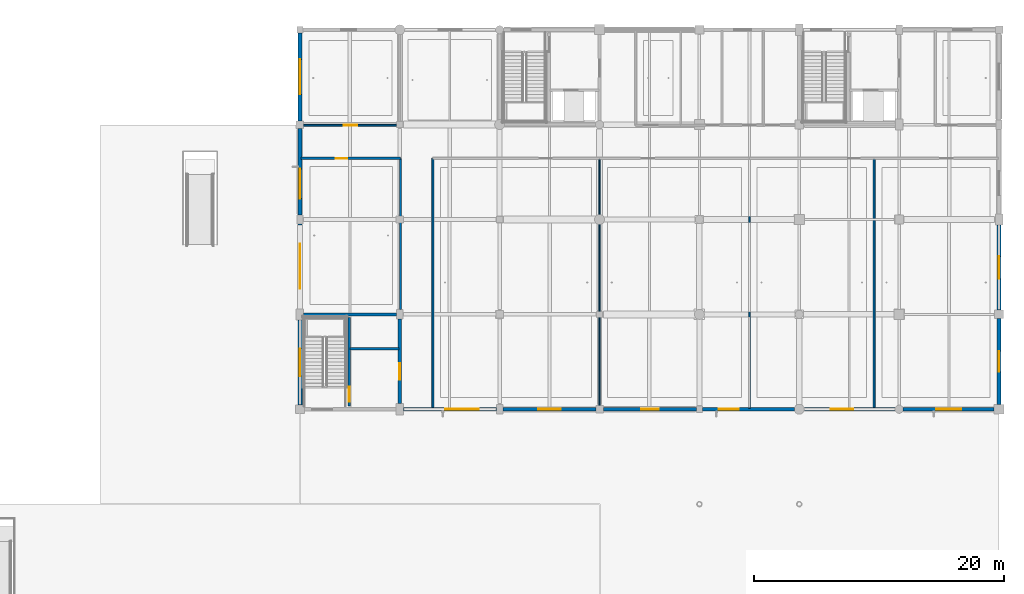
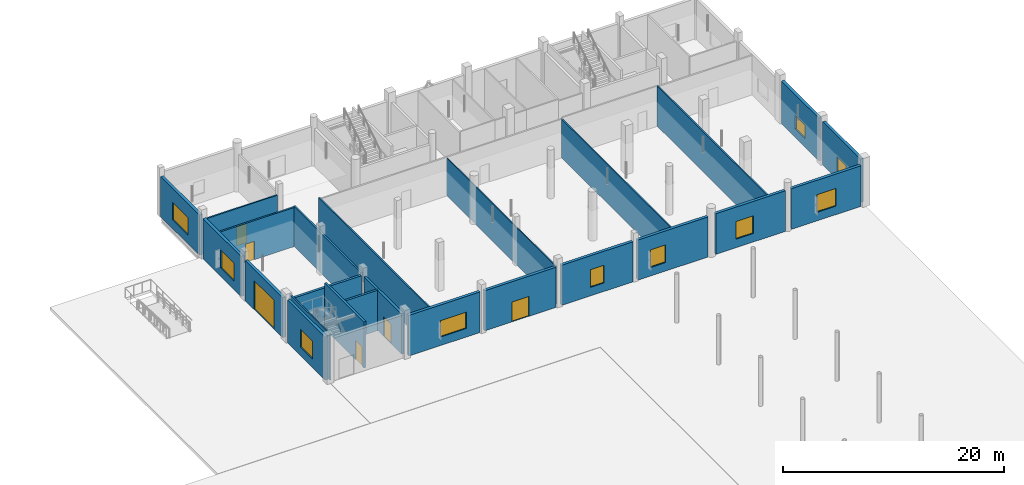
# One storey, part 69 of 126: 24 walls, 10 windows, 6 doors, 16 openings.
"""IFC4 building model written with IfcOpenShell, lengths in metres."""

from ifc_helpers import new_model, si_unit, direction, frame, frame_2d, origin, place, context, subcontext, project, spatial, rectangle, extrude, material, layer, layer_set, type_object, element, fill, save


model = new_model("IFC4")

# Units and contexts
model_context = context("Model", 3, precision=1e-05, world=origin(), true_north=direction((0.0, 1.0)))
body_context = subcontext(model_context, "Body", "Model", "MODEL_VIEW")
ifc_project = project(units=[si_unit("LENGTHUNIT", "METRE"), si_unit("AREAUNIT", "SQUARE_METRE"), si_unit("VOLUMEUNIT", "CUBIC_METRE"), si_unit("PLANEANGLEUNIT", "RADIAN"), si_unit("MASSUNIT", "GRAM", prefix="KILO")], contexts=[model_context])

# Site, building, storey
site_placement = place(None, origin())
site = spatial("IfcSite", under=ifc_project, at=site_placement, CompositionType="ELEMENT")
building_placement = place(site_placement, origin())
building = spatial("IfcBuilding", under=site, at=building_placement, Name="Khelvaren Railside Concert Hall", CompositionType="ELEMENT")
storey_placement = place(building_placement, origin())
storey = spatial("IfcBuildingStorey", under=building, at=storey_placement, Name="L00", CompositionType="ELEMENT", Elevation=0.0)

# Walls
ifc_material_1 = material(Name="Concrete C40/50", Category="concrete")
ifc_layer_1 = layer(ifc_material_1, 0.139892578125)
ifc_layer_set_1 = layer_set([ifc_layer_1], Name="Concrete C40/50")
wall_type_1 = type_object("IfcWallType", Name="CW17", PredefinedType="SOLIDWALL", material=ifc_layer_set_1)
wall_1_placement = place(storey_placement, frame((128.27490234375, 83.75, 0.0), z_axis=(0.0, 0.0, 1.0), x_axis=(0.0, 1.0, 0.0)))
element("IfcWall", 1, at=wall_1_placement, inside=storey, type_object=wall_type_1, Name="Core Shaft Structural Liner Wall ST-12-L00", PredefinedType="SOLIDWALL", context=body_context, shape_type="SweptSolid", body=[
    extrude(rectangle(XDim=7.300048828125, YDim=0.139892578125, at=frame_2d((3.64990234375, 0.0))), origin(), (0.0, 0.0, 1.0), 5.10009765625),
])
ifc_layer_2 = layer(ifc_material_1, 0.25)
ifc_layer_set_2 = layer_set([ifc_layer_2], Name="Concrete C40/50")
wall_type_2 = type_object("IfcWallType", Name="CW82", PredefinedType="SOLIDWALL", material=ifc_layer_set_2)
wall_2_placement = place(storey_placement, frame((128.300048828125, 91.199951171875, 0.0), z_axis=(0.0, 0.0, 1.0), x_axis=(1.0, 0.0, 0.0)))
element("IfcWall", 2, at=wall_2_placement, inside=storey, type_object=wall_type_2, Name="Core Enclosure Wall CWALL-ST-12-L00-N", PredefinedType="SOLIDWALL", context=body_context, shape_type="SweptSolid", body=[
    extrude(rectangle(XDim=7.449951171875, YDim=0.25, at=frame_2d((3.72509765625, 0.0))), origin(), (0.0, 0.0, 1.0), 4.455078125),
])

# Wall, opening, door
wall_3_placement = place(storey_placement, frame((136.0, 84.050048828125, 0.0), z_axis=(0.0, 0.0, 1.0), x_axis=(0.0, 1.0, 0.0)))
wall_3 = element("IfcWall", 3, at=wall_3_placement, inside=storey, type_object=wall_type_2, Name="Core Enclosure Wall CWALL-ST-12-L00-E", PredefinedType="SOLIDWALL", context=body_context, shape_type="SweptSolid", body=[
    extrude(rectangle(XDim=6.77490234375, YDim=0.25, at=frame_2d((3.387451171875, 0.0))), origin(), (0.0, 0.0, 1.0), 4.455078125),
])
opening_1_placement = place(wall_3_placement, frame((1.89990234375, 0.0, 0.0)))
opening_1 = element("IfcOpeningElement", 4, at=opening_1_placement, cuts=wall_3, Name="Opening FDR34", PredefinedType="OPENING", context=body_context, shape_type="SweptSolid", body=[
    extrude(rectangle(XDim=1.35009765625, YDim=2.199951171875, at=frame_2d((0.675048828125, 1.10009765625))), frame((0.0, 0.135009765625, 0.0), z_axis=(0.0, -1.0, 0.0), x_axis=(1.0, 0.0, 0.0)), (0.0, 0.0, 1.0), 0.27001953125),
])
ifc_material_2 = material(Name="Acoustic fire-rated timber-core steel frame door", Category="steel")
door_type_1 = type_object("IfcDoorType", Name="FDR34", OperationType="NOTDEFINED", PredefinedType="DOOR", material=ifc_material_2)
door_1_placement = place(opening_1_placement, origin())
door_1 = element("IfcDoor", 5, at=door_1_placement, inside=storey, type_object=door_type_1, Name="Interior Door DR-ST-12-L00-LOB", OperationType="SINGLE_SWING_LEFT", OverallHeight=2.199951171875, OverallWidth=1.35009765625, PredefinedType="DOOR", context=body_context, shape_type="SweptSolid", body=[
    extrude(rectangle(XDim=1.35009765625, YDim=2.199951171875, at=frame_2d((0.675048828125, 1.10009765625))), frame((0.0, 0.02490234375, 0.0), z_axis=(0.0, -1.0, 0.0), x_axis=(1.0, 0.0, 0.0)), (0.0, 0.0, 1.0), 0.050048828125),
])
fill(opening_1, door_1)

ifc_layer_3 = layer(ifc_material_1, 0.219970703125)
ifc_layer_set_3 = layer_set([ifc_layer_3], Name="Concrete C40/50")
wall_type_3 = type_object("IfcWallType", Name="CW97", PredefinedType="SOLIDWALL", material=ifc_layer_set_3)
wall_4_placement = place(storey_placement, frame((131.949951171875, 83.85009765625, 0.0), z_axis=(0.0, 0.0, 1.0), x_axis=(0.0, 1.0, 0.0)))
wall_4 = element("IfcWall", 6, at=wall_4_placement, inside=storey, type_object=wall_type_3, Name="Core Enclosure Wall CWALL-ST-12-L00-MID", PredefinedType="SOLIDWALL", context=body_context, shape_type="SweptSolid", body=[
    extrude(rectangle(XDim=7.099853515625, YDim=0.219970703125, at=frame_2d((3.5498046875, 0.0))), origin(), (0.0, 0.0, 1.0), 5.10009765625),
])
opening_2_placement = place(wall_4_placement, frame((0.35009765625, 0.0, 0.0)))
opening_2 = element("IfcOpeningElement", 7, at=opening_2_placement, cuts=wall_4, Name="Opening FDR17", PredefinedType="OPENING", context=body_context, shape_type="SweptSolid", body=[
    extrude(rectangle(XDim=1.199951171875, YDim=2.14990234375, at=frame_2d((0.60009765625, 1.074951171875))), frame((0.0, 0.119873046875, 0.0), z_axis=(0.0, -1.0, 0.0), x_axis=(1.0, 0.0, 0.0)), (0.0, 0.0, 1.0), 0.239990234375),
])
door_type_2 = type_object("IfcDoorType", Name="FDR17", OperationType="NOTDEFINED", PredefinedType="DOOR", material=ifc_material_2)
door_2_placement = place(opening_2_placement, origin())
door_2 = element("IfcDoor", 8, at=door_2_placement, inside=storey, type_object=door_type_2, Name="Interior Door DR-ST-12-L00-ST", OperationType="SINGLE_SWING_RIGHT", OverallHeight=2.14990234375, OverallWidth=1.199951171875, PredefinedType="DOOR", context=body_context, shape_type="SweptSolid", body=[
    extrude(rectangle(XDim=1.199951171875, YDim=2.14990234375, at=frame_2d((0.60009765625, 1.074951171875))), frame((0.0, 0.02490234375, 0.0), z_axis=(0.0, -1.0, 0.0), x_axis=(1.0, 0.0, 0.0)), (0.0, 0.0, 1.0), 0.050048828125),
])
fill(opening_2, door_2)

# Wall
wall_5_placement = place(storey_placement, frame((132.02001953125, 88.449951171875, 0.0), z_axis=(0.0, 0.0, 1.0), x_axis=(1.0, 0.0, 0.0)))
element("IfcWall", 9, at=wall_5_placement, inside=storey, type_object=wall_type_3, Name="Core Enclosure Wall CWALL-ST-12-L00-SHF", PredefinedType="SOLIDWALL", context=body_context, shape_type="SweptSolid", body=[
    extrude(rectangle(XDim=3.929931640625, YDim=0.219970703125, at=frame_2d((1.96484375, 0.0))), origin(), (0.0, 0.0, 1.0), 4.47509765625),
])

# Wall, opening, window
ifc_material_3 = material(Name="Board-marked architectural concrete C40/50", Category="concrete")
ifc_layer_4 = layer(ifc_material_3, 0.300048828125)
ifc_layer_set_4 = layer_set([ifc_layer_4], Name="Board-marked architectural concrete C40/50")
wall_type_4 = type_object("IfcWallType", Name="EW54", PredefinedType="SOLIDWALL", material=ifc_layer_set_4)
wall_6_placement = place(storey_placement, frame((143.75, 83.60009765625, 0.0), z_axis=(0.0, 0.0, 1.0), x_axis=(-1.0, 0.0, 0.0)))
wall_6 = element("IfcWall", 10, at=wall_6_placement, inside=storey, type_object=wall_type_4, Name="V5 L00 Exterior Concrete Wall S-136", PredefinedType="SOLIDWALL", context=body_context, shape_type="SweptSolid", body=[
    extrude(rectangle(XDim=7.449951171875, YDim=0.300048828125, at=frame_2d((3.72509765625, 0.0))), origin(), (0.0, 0.0, 1.0), 4.489990234375),
])
opening_3_placement = place(wall_6_placement, frame((1.425048828125, 0.0, 0.949951171875)))
opening_3 = element("IfcOpeningElement", 11, at=opening_3_placement, cuts=wall_6, Name="Opening WN39", PredefinedType="OPENING", context=body_context, shape_type="SweptSolid", body=[
    extrude(rectangle(XDim=2.699951171875, YDim=1.800048828125, at=frame_2d((1.35009765625, 0.89990234375))), frame((0.0, 0.159912109375, 0.0), z_axis=(0.0, -1.0, 0.0), x_axis=(1.0, 0.0, 0.0)), (0.0, 0.0, 1.0), 0.320068359375),
])
ifc_material_4 = material(Name="Triple-glazed acoustic aluminium window", Category="aluminium")
window_type_1 = type_object("IfcWindowType", Name="WN39", PartitioningType="DOUBLE_PANEL_VERTICAL", PredefinedType="WINDOW", material=ifc_material_4)
window_1_placement = place(opening_3_placement, origin())
window_1 = element("IfcWindow", 12, at=window_1_placement, inside=storey, type_object=window_type_1, Name="Acoustic Facade Window EW-V5-L00-S-136", OverallHeight=1.800048828125, OverallWidth=2.699951171875, PartitioningType="DOUBLE_PANEL_VERTICAL", PredefinedType="WINDOW", context=body_context, shape_type="SweptSolid", body=[
    extrude(rectangle(XDim=2.699951171875, YDim=1.800048828125, at=frame_2d((1.35009765625, 0.89990234375))), frame((0.0, 0.030029296875, 0.0), z_axis=(0.0, -1.0, 0.0), x_axis=(1.0, 0.0, 0.0)), (0.0, 0.0, 1.0), 0.06005859375),
])
fill(opening_3, window_1)

# Wall, opening, door
wall_7_placement = place(storey_placement, frame((151.699951171875, 83.60009765625, 0.0), z_axis=(0.0, 0.0, 1.0), x_axis=(-1.0, 0.0, 0.0)))
wall_7 = element("IfcWall", 13, at=wall_7_placement, inside=storey, type_object=wall_type_4, Name="V5 L00 Exterior Concrete Wall S-144", PredefinedType="SOLIDWALL", context=body_context, shape_type="SweptSolid", body=[
    extrude(rectangle(XDim=7.449951171875, YDim=0.300048828125, at=frame_2d((3.72509765625, 0.0))), origin(), (0.0, 0.0, 1.0), 4.43994140625),
])
opening_4_placement = place(wall_7_placement, frame((2.824951171875, 0.0, 0.0)))
opening_4 = element("IfcOpeningElement", 14, at=opening_4_placement, cuts=wall_7, Name="Opening E-V5-FCC", PredefinedType="OPENING", context=body_context, shape_type="SweptSolid", body=[
    extrude(rectangle(XDim=1.800048828125, YDim=2.199951171875, at=frame_2d((0.89990234375, 1.10009765625))), frame((0.0, 0.159912109375, 0.0), z_axis=(0.0, -1.0, 0.0), x_axis=(1.0, 0.0, 0.0)), (0.0, 0.0, 1.0), 0.320068359375),
])
ifc_material_5 = material(Name="Anodised bronze glazed entrance door", Category="aluminium")
door_type_3 = type_object("IfcDoorType", Name="EDR55", OperationType="NOTDEFINED", PredefinedType="DOOR", material=ifc_material_5)
door_3_placement = place(opening_4_placement, origin())
door_3 = element("IfcDoor", 15, at=door_3_placement, inside=storey, type_object=door_type_3, Name="Public Entrance Exit Door E-V5-FCC", OperationType="SINGLE_SWING_RIGHT", OverallHeight=2.199951171875, OverallWidth=1.800048828125, PredefinedType="DOOR", context=body_context, shape_type="SweptSolid", body=[
    extrude(rectangle(XDim=1.800048828125, YDim=2.199951171875, at=frame_2d((0.89990234375, 1.10009765625))), frame((0.0, 0.02490234375, 0.0), z_axis=(0.0, -1.0, 0.0), x_axis=(1.0, 0.0, 0.0)), (0.0, 0.0, 1.0), 0.050048828125),
])
fill(opening_4, door_3)

# Wall, opening, window
wall_8_placement = place(storey_placement, frame((159.75, 83.60009765625, 0.0), z_axis=(0.0, 0.0, 1.0), x_axis=(-1.0, 0.0, 0.0)))
wall_8 = element("IfcWall", 16, at=wall_8_placement, inside=storey, type_object=wall_type_4, Name="V5 L00 Exterior Concrete Wall S-152", PredefinedType="SOLIDWALL", context=body_context, shape_type="SweptSolid", body=[
    extrude(rectangle(XDim=7.449951171875, YDim=0.300048828125, at=frame_2d((3.72509765625, 0.0))), origin(), (0.0, 0.0, 1.0), 4.43994140625),
])
opening_5_placement = place(wall_8_placement, frame((3.02490234375, 0.0, 0.949951171875)))
opening_5 = element("IfcOpeningElement", 17, at=opening_5_placement, cuts=wall_8, Name="Opening WN97", PredefinedType="OPENING", context=body_context, shape_type="SweptSolid", body=[
    extrude(rectangle(XDim=1.39990234375, YDim=1.949951171875, at=frame_2d((0.699951171875, 0.97509765625))), frame((0.0, 0.159912109375, 0.0), z_axis=(0.0, -1.0, 0.0), x_axis=(1.0, 0.0, 0.0)), (0.0, 0.0, 1.0), 0.320068359375),
])
window_type_2 = type_object("IfcWindowType", Name="WN97", PartitioningType="SINGLE_PANEL", PredefinedType="WINDOW", material=ifc_material_4)
window_2_placement = place(opening_5_placement, origin())
window_2 = element("IfcWindow", 18, at=window_2_placement, inside=storey, type_object=window_type_2, Name="Acoustic Facade Window EW-V5-L00-S-152", OverallHeight=1.949951171875, OverallWidth=1.39990234375, PartitioningType="SINGLE_PANEL", PredefinedType="WINDOW", context=body_context, shape_type="SweptSolid", body=[
    extrude(rectangle(XDim=1.39990234375, YDim=1.949951171875, at=frame_2d((0.699951171875, 0.97509765625))), frame((0.0, 0.030029296875, 0.0), z_axis=(0.0, -1.0, 0.0), x_axis=(1.0, 0.0, 0.0)), (0.0, 0.0, 1.0), 0.06005859375),
])
fill(opening_5, window_2)

wall_9_placement = place(storey_placement, frame((167.60009765625, 83.60009765625, 0.0), z_axis=(0.0, 0.0, 1.0), x_axis=(-1.0, 0.0, 0.0)))
wall_9 = element("IfcWall", 19, at=wall_9_placement, inside=storey, type_object=wall_type_4, Name="V5 L00 Exterior Concrete Wall S-160", PredefinedType="SOLIDWALL", context=body_context, shape_type="SweptSolid", body=[
    extrude(rectangle(XDim=7.35009765625, YDim=0.300048828125, at=frame_2d((3.675048828125, 0.0))), origin(), (0.0, 0.0, 1.0), 4.43994140625),
])
opening_6_placement = place(wall_9_placement, frame((4.449951171875, 0.0, 0.949951171875)))
opening_6 = element("IfcOpeningElement", 20, at=opening_6_placement, cuts=wall_9, Name="Opening WN94", PredefinedType="OPENING", context=body_context, shape_type="SweptSolid", body=[
    extrude(rectangle(XDim=1.60009765625, YDim=1.949951171875, at=frame_2d((0.800048828125, 0.97509765625))), frame((0.0, 0.159912109375, 0.0), z_axis=(0.0, -1.0, 0.0), x_axis=(1.0, 0.0, 0.0)), (0.0, 0.0, 1.0), 0.320068359375),
])
window_type_3 = type_object("IfcWindowType", Name="WN94", PartitioningType="SINGLE_PANEL", PredefinedType="WINDOW", material=ifc_material_4)
window_3_placement = place(opening_6_placement, origin())
window_3 = element("IfcWindow", 21, at=window_3_placement, inside=storey, type_object=window_type_3, Name="Acoustic Facade Window EW-V5-L00-S-160", OverallHeight=1.949951171875, OverallWidth=1.60009765625, PartitioningType="SINGLE_PANEL", PredefinedType="WINDOW", context=body_context, shape_type="SweptSolid", body=[
    extrude(rectangle(XDim=1.60009765625, YDim=1.949951171875, at=frame_2d((0.800048828125, 0.97509765625))), frame((0.0, 0.030029296875, 0.0), z_axis=(0.0, -1.0, 0.0), x_axis=(1.0, 0.0, 0.0)), (0.0, 0.0, 1.0), 0.06005859375),
])
fill(opening_6, window_3)

wall_10_placement = place(storey_placement, frame((175.675048828125, 83.60009765625, 0.0), z_axis=(0.0, 0.0, 1.0), x_axis=(-1.0, 0.0, 0.0)))
wall_10 = element("IfcWall", 22, at=wall_10_placement, inside=storey, type_object=wall_type_4, Name="V5 L00 Exterior Concrete Wall S-168", PredefinedType="SOLIDWALL", context=body_context, shape_type="SweptSolid", body=[
    extrude(rectangle(XDim=7.275146484375, YDim=0.300048828125, at=frame_2d((3.6376953125, 0.0))), origin(), (0.0, 0.0, 1.0), 4.489990234375),
])
opening_7_placement = place(wall_10_placement, frame((3.35009765625, 0.0, 0.949951171875)))
opening_7 = element("IfcOpeningElement", 23, at=opening_7_placement, cuts=wall_10, Name="Opening WN45", PredefinedType="OPENING", context=body_context, shape_type="SweptSolid", body=[
    extrude(rectangle(XDim=1.800048828125, YDim=1.949951171875, at=frame_2d((0.89990234375, 0.97509765625))), frame((0.0, 0.159912109375, 0.0), z_axis=(0.0, -1.0, 0.0), x_axis=(1.0, 0.0, 0.0)), (0.0, 0.0, 1.0), 0.320068359375),
])
window_type_4 = type_object("IfcWindowType", Name="WN45", PartitioningType="DOUBLE_PANEL_VERTICAL", PredefinedType="WINDOW", material=ifc_material_4)
window_4_placement = place(opening_7_placement, origin())
window_4 = element("IfcWindow", 24, at=window_4_placement, inside=storey, type_object=window_type_4, Name="Acoustic Facade Window EW-V5-L00-S-168", OverallHeight=1.949951171875, OverallWidth=1.800048828125, PartitioningType="DOUBLE_PANEL_VERTICAL", PredefinedType="WINDOW", context=body_context, shape_type="SweptSolid", body=[
    extrude(rectangle(XDim=1.800048828125, YDim=1.949951171875, at=frame_2d((0.89990234375, 0.97509765625))), frame((0.0, 0.030029296875, 0.0), z_axis=(0.0, -1.0, 0.0), x_axis=(1.0, 0.0, 0.0)), (0.0, 0.0, 1.0), 0.06005859375),
])
fill(opening_7, window_4)

wall_11_placement = place(storey_placement, frame((183.60009765625, 83.60009765625, 0.0), z_axis=(0.0, 0.0, 1.0), x_axis=(-1.0, 0.0, 0.0)))
wall_11 = element("IfcWall", 25, at=wall_11_placement, inside=storey, type_object=wall_type_4, Name="V5 L00 Exterior Concrete Wall S-176", PredefinedType="SOLIDWALL", context=body_context, shape_type="SweptSolid", body=[
    extrude(rectangle(XDim=7.275146484375, YDim=0.300048828125, at=frame_2d((3.6376953125, 0.0))), origin(), (0.0, 0.0, 1.0), 4.489990234375),
])
opening_8_placement = place(wall_11_placement, frame((2.637451171875, 0.0, 0.949951171875)))
opening_8 = element("IfcOpeningElement", 26, at=opening_8_placement, cuts=wall_11, Name="Opening WN46", PredefinedType="OPENING", context=body_context, shape_type="SweptSolid", body=[
    extrude(rectangle(XDim=2.0, YDim=1.949951171875, at=frame_2d((1.0, 0.97509765625))), frame((0.0, 0.159912109375, 0.0), z_axis=(0.0, -1.0, 0.0), x_axis=(1.0, 0.0, 0.0)), (0.0, 0.0, 1.0), 0.320068359375),
])
window_type_5 = type_object("IfcWindowType", Name="WN46", PartitioningType="DOUBLE_PANEL_VERTICAL", PredefinedType="WINDOW", material=ifc_material_4)
window_5_placement = place(opening_8_placement, origin())
window_5 = element("IfcWindow", 27, at=window_5_placement, inside=storey, type_object=window_type_5, Name="Acoustic Facade Window EW-V5-L00-S-176", OverallHeight=1.949951171875, OverallWidth=2.0, PartitioningType="DOUBLE_PANEL_VERTICAL", PredefinedType="WINDOW", context=body_context, shape_type="SweptSolid", body=[
    extrude(rectangle(XDim=2.0, YDim=1.949951171875, at=frame_2d((1.0, 0.97509765625))), frame((0.0, 0.030029296875, 0.0), z_axis=(0.0, -1.0, 0.0), x_axis=(1.0, 0.0, 0.0)), (0.0, 0.0, 1.0), 0.06005859375),
])
fill(opening_8, window_5)

wall_12_placement = place(storey_placement, frame((128.0, 83.949951171875, 0.0), z_axis=(0.0, 0.0, 1.0), x_axis=(0.0, 1.0, 0.0)))
wall_12 = element("IfcWall", 28, at=wall_12_placement, inside=storey, type_object=wall_type_4, Name="V5 L00 Exterior Concrete Wall W-84", PredefinedType="SOLIDWALL", context=body_context, shape_type="SweptSolid", body=[
    extrude(rectangle(XDim=6.800048828125, YDim=0.300048828125, at=frame_2d((3.39990234375, 0.0))), origin(), (0.0, 0.0, 1.0), 4.72998046875),
])
opening_9_placement = place(wall_12_placement, frame((2.300048828125, 0.0, 0.949951171875)))
opening_9 = element("IfcOpeningElement", 29, at=opening_9_placement, cuts=wall_12, Name="Opening WN17", PredefinedType="OPENING", context=body_context, shape_type="SweptSolid", body=[
    extrude(rectangle(XDim=2.199951171875, YDim=1.949951171875, at=frame_2d((1.10009765625, 0.97509765625))), frame((0.0, 0.159912109375, 0.0), z_axis=(0.0, -1.0, 0.0), x_axis=(1.0, 0.0, 0.0)), (0.0, 0.0, 1.0), 0.320068359375),
])
window_type_6 = type_object("IfcWindowType", Name="WN17", PartitioningType="DOUBLE_PANEL_VERTICAL", PredefinedType="WINDOW", material=ifc_material_4)
window_6_placement = place(opening_9_placement, origin())
window_6 = element("IfcWindow", 30, at=window_6_placement, inside=storey, type_object=window_type_6, Name="Acoustic Facade Window EW-V5-L00-W-84", OverallHeight=1.949951171875, OverallWidth=2.199951171875, PartitioningType="DOUBLE_PANEL_VERTICAL", PredefinedType="WINDOW", context=body_context, shape_type="SweptSolid", body=[
    extrude(rectangle(XDim=2.199951171875, YDim=1.949951171875, at=frame_2d((1.10009765625, 0.97509765625))), frame((0.0, 0.030029296875, 0.0), z_axis=(0.0, -1.0, 0.0), x_axis=(1.0, 0.0, 0.0)), (0.0, 0.0, 1.0), 0.06005859375),
])
fill(opening_9, window_6)

# Wall, opening, door
wall_13_placement = place(storey_placement, frame((128.0, 91.64990234375, 0.0), z_axis=(0.0, 0.0, 1.0), x_axis=(0.0, 1.0, 0.0)))
wall_13 = element("IfcWall", 31, at=wall_13_placement, inside=storey, type_object=wall_type_4, Name="V5 L00 Exterior Concrete Wall W-91", PredefinedType="SOLIDWALL", context=body_context, shape_type="SweptSolid", body=[
    extrude(rectangle(XDim=6.775146484375, YDim=0.300048828125, at=frame_2d((3.3876953125, 0.0))), origin(), (0.0, 0.0, 1.0), 4.43994140625),
])
opening_10_placement = place(wall_13_placement, frame((1.58740234375, 0.0, 0.0)))
opening_10 = element("IfcOpeningElement", 32, at=opening_10_placement, cuts=wall_13, Name="Opening VG-01", PredefinedType="OPENING", context=body_context, shape_type="SweptSolid", body=[
    extrude(rectangle(XDim=3.60009765625, YDim=3.199951171875, at=frame_2d((1.800048828125, 1.60009765625))), frame((0.0, 0.159912109375, 0.0), z_axis=(0.0, -1.0, 0.0), x_axis=(1.0, 0.0, 0.0)), (0.0, 0.0, 1.0), 0.320068359375),
])
ifc_material_6 = material(Name="Insulated acoustic steel roller shutter", Category="steel")
door_type_4 = type_object("IfcDoorType", Name="VG46", OperationType="ROLLINGUP", PredefinedType="DOOR", material=ifc_material_6)
door_4_placement = place(opening_10_placement, origin())
door_4 = element("IfcDoor", 33, at=door_4_placement, inside=storey, type_object=door_type_4, Name="Stage Loading Dock Roller Shutter VG-01", OperationType="ROLLINGUP", OverallHeight=3.199951171875, OverallWidth=3.60009765625, PredefinedType="DOOR", context=body_context, shape_type="SweptSolid", body=[
    extrude(rectangle(XDim=3.60009765625, YDim=3.199951171875, at=frame_2d((1.800048828125, 1.60009765625))), frame((0.0, 0.02490234375, 0.0), z_axis=(0.0, -1.0, 0.0), x_axis=(1.0, 0.0, 0.0)), (0.0, 0.0, 1.0), 0.050048828125),
])
fill(opening_10, door_4)

# Wall, opening, window
wall_14_placement = place(storey_placement, frame((128.0, 99.175048828125, 0.0), z_axis=(0.0, 0.0, 1.0), x_axis=(0.0, 1.0, 0.0)))
wall_14 = element("IfcWall", 34, at=wall_14_placement, inside=storey, type_object=wall_type_4, Name="V5 L00 Exterior Concrete Wall W-99", PredefinedType="SOLIDWALL", context=body_context, shape_type="SweptSolid", body=[
    extrude(rectangle(XDim=6.925048828125, YDim=0.300048828125, at=frame_2d((3.46240234375, 0.0))), origin(), (0.0, 0.0, 1.0), 4.43994140625),
])
opening_11_placement = place(wall_14_placement, frame((1.28759765625, 0.0, 0.949951171875)))
opening_11 = element("IfcOpeningElement", 35, at=opening_11_placement, cuts=wall_14, Name="Opening WN77", PredefinedType="OPENING", context=body_context, shape_type="SweptSolid", body=[
    extrude(rectangle(XDim=2.39990234375, YDim=1.949951171875, at=frame_2d((1.199951171875, 0.97509765625))), frame((0.0, 0.159912109375, 0.0), z_axis=(0.0, -1.0, 0.0), x_axis=(1.0, 0.0, 0.0)), (0.0, 0.0, 1.0), 0.320068359375),
])
window_type_7 = type_object("IfcWindowType", Name="WN77", PartitioningType="DOUBLE_PANEL_VERTICAL", PredefinedType="WINDOW", material=ifc_material_4)
window_7_placement = place(opening_11_placement, origin())
window_7 = element("IfcWindow", 36, at=window_7_placement, inside=storey, type_object=window_type_7, Name="Acoustic Facade Window EW-V5-L00-W-99", OverallHeight=1.949951171875, OverallWidth=2.39990234375, PartitioningType="DOUBLE_PANEL_VERTICAL", PredefinedType="WINDOW", context=body_context, shape_type="SweptSolid", body=[
    extrude(rectangle(XDim=2.39990234375, YDim=1.949951171875, at=frame_2d((1.199951171875, 0.97509765625))), frame((0.0, 0.030029296875, 0.0), z_axis=(0.0, -1.0, 0.0), x_axis=(1.0, 0.0, 0.0)), (0.0, 0.0, 1.0), 0.06005859375),
])
fill(opening_11, window_7)

wall_15_placement = place(storey_placement, frame((128.0, 106.699951171875, 0.0), z_axis=(0.0, 0.0, 1.0), x_axis=(0.0, 1.0, 0.0)))
wall_15 = element("IfcWall", 37, at=wall_15_placement, inside=storey, type_object=wall_type_4, Name="V5 L00 Exterior Concrete Wall W-106", PredefinedType="SOLIDWALL", context=body_context, shape_type="SweptSolid", body=[
    extrude(rectangle(XDim=7.050048828125, YDim=0.300048828125, at=frame_2d((3.52490234375, 0.0))), origin(), (0.0, 0.0, 1.0), 4.43994140625),
])
opening_12_placement = place(wall_15_placement, frame((2.125, 0.0, 0.949951171875)))
opening_12 = element("IfcOpeningElement", 38, at=opening_12_placement, cuts=wall_15, Name="Opening WN18", PredefinedType="OPENING", context=body_context, shape_type="SweptSolid", body=[
    extrude(rectangle(XDim=2.800048828125, YDim=1.949951171875, at=frame_2d((1.39990234375, 0.97509765625))), frame((0.0, 0.159912109375, 0.0), z_axis=(0.0, -1.0, 0.0), x_axis=(1.0, 0.0, 0.0)), (0.0, 0.0, 1.0), 0.320068359375),
])
window_type_8 = type_object("IfcWindowType", Name="WN18", PartitioningType="DOUBLE_PANEL_VERTICAL", PredefinedType="WINDOW", material=ifc_material_4)
window_8_placement = place(opening_12_placement, origin())
window_8 = element("IfcWindow", 39, at=window_8_placement, inside=storey, type_object=window_type_8, Name="Acoustic Facade Window EW-V5-L00-W-106", OverallHeight=1.949951171875, OverallWidth=2.800048828125, PartitioningType="DOUBLE_PANEL_VERTICAL", PredefinedType="WINDOW", context=body_context, shape_type="SweptSolid", body=[
    extrude(rectangle(XDim=2.800048828125, YDim=1.949951171875, at=frame_2d((1.39990234375, 0.97509765625))), frame((0.0, 0.030029296875, 0.0), z_axis=(0.0, -1.0, 0.0), x_axis=(1.0, 0.0, 0.0)), (0.0, 0.0, 1.0), 0.06005859375),
])
fill(opening_12, window_8)

wall_16_placement = place(storey_placement, frame((184.0, 90.85009765625, 0.0), z_axis=(0.0, 0.0, 1.0), x_axis=(0.0, -1.0, 0.0)))
wall_16 = element("IfcWall", 40, at=wall_16_placement, inside=storey, type_object=wall_type_4, Name="V5 L00 Exterior Concrete Wall E-84", PredefinedType="SOLIDWALL", context=body_context, shape_type="SweptSolid", body=[
    extrude(rectangle(XDim=6.85009765625, YDim=0.300048828125, at=frame_2d((3.425048828125, 0.0))), origin(), (0.0, 0.0, 1.0), 4.780029296875),
])
opening_13_placement = place(wall_16_placement, frame((2.60009765625, 0.0, 0.949951171875)))
opening_13 = element("IfcOpeningElement", 41, at=opening_13_placement, cuts=wall_16, Name="Opening WN55", PredefinedType="OPENING", context=body_context, shape_type="SweptSolid", body=[
    extrude(rectangle(XDim=1.64990234375, YDim=1.5, at=frame_2d((0.824951171875, 0.75))), frame((0.0, 0.159912109375, 0.0), z_axis=(0.0, -1.0, 0.0), x_axis=(1.0, 0.0, 0.0)), (0.0, 0.0, 1.0), 0.320068359375),
])
window_type_9 = type_object("IfcWindowType", Name="WN55", PartitioningType="SINGLE_PANEL", PredefinedType="WINDOW", material=ifc_material_4)
window_9_placement = place(opening_13_placement, origin())
window_9 = element("IfcWindow", 42, at=window_9_placement, inside=storey, type_object=window_type_9, Name="Acoustic Facade Window EW-V5-L00-E-84", OverallHeight=1.5, OverallWidth=1.64990234375, PartitioningType="SINGLE_PANEL", PredefinedType="WINDOW", context=body_context, shape_type="SweptSolid", body=[
    extrude(rectangle(XDim=1.64990234375, YDim=1.5, at=frame_2d((0.824951171875, 0.75))), frame((0.0, 0.030029296875, 0.0), z_axis=(0.0, -1.0, 0.0), x_axis=(1.0, 0.0, 0.0)), (0.0, 0.0, 1.0), 0.06005859375),
])
fill(opening_13, window_9)

wall_17_placement = place(storey_placement, frame((184.0, 98.35009765625, 0.0), z_axis=(0.0, 0.0, 1.0), x_axis=(0.0, -1.0, 0.0)))
wall_17 = element("IfcWall", 43, at=wall_17_placement, inside=storey, type_object=wall_type_4, Name="V5 L00 Exterior Concrete Wall E-91", PredefinedType="SOLIDWALL", context=body_context, shape_type="SweptSolid", body=[
    extrude(rectangle(XDim=6.800048828125, YDim=0.300048828125, at=frame_2d((3.39990234375, 0.0))), origin(), (0.0, 0.0, 1.0), 4.72998046875),
])
opening_14_placement = place(wall_17_placement, frame((2.5, 0.0, 0.949951171875)))
opening_14 = element("IfcOpeningElement", 44, at=opening_14_placement, cuts=wall_17, Name="Opening WN56", PredefinedType="OPENING", context=body_context, shape_type="SweptSolid", body=[
    extrude(rectangle(XDim=1.800048828125, YDim=1.5, at=frame_2d((0.89990234375, 0.75))), frame((0.0, 0.159912109375, 0.0), z_axis=(0.0, -1.0, 0.0), x_axis=(1.0, 0.0, 0.0)), (0.0, 0.0, 1.0), 0.320068359375),
])
window_type_10 = type_object("IfcWindowType", Name="WN56", PartitioningType="DOUBLE_PANEL_VERTICAL", PredefinedType="WINDOW", material=ifc_material_4)
window_10_placement = place(opening_14_placement, origin())
window_10 = element("IfcWindow", 45, at=window_10_placement, inside=storey, type_object=window_type_10, Name="Acoustic Facade Window EW-V5-L00-E-91", OverallHeight=1.5, OverallWidth=1.800048828125, PartitioningType="DOUBLE_PANEL_VERTICAL", PredefinedType="WINDOW", context=body_context, shape_type="SweptSolid", body=[
    extrude(rectangle(XDim=1.800048828125, YDim=1.5, at=frame_2d((0.89990234375, 0.75))), frame((0.0, 0.030029296875, 0.0), z_axis=(0.0, -1.0, 0.0), x_axis=(1.0, 0.0, 0.0)), (0.0, 0.0, 1.0), 0.06005859375),
])
fill(opening_14, window_10)

# Wall
ifc_material_7 = material(Name="Acoustic double-stud gypsum partition", Category="gypsum")
ifc_layer_5 = layer(ifc_material_7, 0.1298828125)
ifc_layer_set_5 = layer_set([ifc_layer_5], Name="Acoustic double-stud gypsum partition")
wall_type_5 = type_object("IfcWallType", Name="PT31", PredefinedType="PARTITIONING", material=ifc_layer_set_5)
wall_18_placement = place(storey_placement, frame((164.0, 83.679931640625, 0.0), z_axis=(0.0, 0.0, 1.0), x_axis=(0.0, 1.0, 0.0)))
element("IfcWall", 46, at=wall_18_placement, inside=storey, type_object=wall_type_5, Name="Acoustic Partition Wall PW-V5-L00-S-D02", PredefinedType="PARTITIONING", context=body_context, shape_type="SweptSolid", body=[
    extrude(rectangle(XDim=20.02001953125, YDim=0.1298828125, at=frame_2d((10.010009765625, 0.0))), origin(), (0.0, 0.0, 1.0), 4.27490234375),
])

# Wall, opening, door
ifc_layer_6 = layer(ifc_material_7, 0.179931640625)
ifc_layer_set_6 = layer_set([ifc_layer_6], Name="Acoustic double-stud gypsum partition")
wall_type_6 = type_object("IfcWallType", Name="PT40", PredefinedType="PARTITIONING", material=ifc_layer_set_6)
wall_19_placement = place(storey_placement, frame((128.080078125, 103.699951171875, 0.0), z_axis=(0.0, 0.0, 1.0), x_axis=(1.0, 0.0, 0.0)))
wall_19 = element("IfcWall", 47, at=wall_19_placement, inside=storey, type_object=wall_type_6, Name="Acoustic Partition Wall PW-V5-L00-DOCK-N", PredefinedType="PARTITIONING", context=body_context, shape_type="SweptSolid", body=[
    extrude(rectangle(XDim=7.969970703125, YDim=0.179931640625, at=frame_2d((3.98486328125, 0.0))), origin(), (0.0, 0.0, 1.0), 4.324951171875),
])
opening_15_placement = place(wall_19_placement, frame((2.800048828125, 0.0, 0.0)))
opening_15 = element("IfcOpeningElement", 48, at=opening_15_placement, cuts=wall_19, Name="Opening IDR12", PredefinedType="OPENING", context=body_context, shape_type="SweptSolid", body=[
    extrude(rectangle(XDim=0.919921875, YDim=2.050048828125, at=frame_2d((0.4599609375, 1.02490234375))), frame((0.0, 0.099853515625, 0.0), z_axis=(0.0, -1.0, 0.0), x_axis=(1.0, 0.0, 0.0)), (0.0, 0.0, 1.0), 0.199951171875),
])
ifc_material_8 = material(Name="Solid oak acoustic studio door", Category="wood")
door_type_5 = type_object("IfcDoorType", Name="IDR12", OperationType="NOTDEFINED", PredefinedType="DOOR", material=ifc_material_8)
door_5_placement = place(opening_15_placement, origin())
door_5 = element("IfcDoor", 49, at=door_5_placement, inside=storey, type_object=door_type_5, Name="Interior Door DR-V5-L00-DOCK", OperationType="SINGLE_SWING_RIGHT", OverallHeight=2.050048828125, OverallWidth=0.919921875, PredefinedType="DOOR", context=body_context, shape_type="SweptSolid", body=[
    extrude(rectangle(XDim=0.919921875, YDim=2.050048828125, at=frame_2d((0.4599609375, 1.02490234375))), frame((0.0, 0.02490234375, 0.0), z_axis=(0.0, -1.0, 0.0), x_axis=(1.0, 0.0, 0.0)), (0.0, 0.0, 1.0), 0.050048828125),
])
fill(opening_15, door_5)

# Walls
wall_20_placement = place(storey_placement, frame((136.050048828125, 91.574951171875, 0.0), z_axis=(0.0, 0.0, 1.0), x_axis=(0.0, 1.0, 0.0)))
element("IfcWall", 50, at=wall_20_placement, inside=storey, type_object=wall_type_6, Name="Acoustic Partition Wall PW-V5-L00-DOCK-E", PredefinedType="PARTITIONING", context=body_context, shape_type="SweptSolid", body=[
    extrude(rectangle(XDim=12.125, YDim=0.179931640625, at=frame_2d((6.0625, 0.0))), origin(), (0.0, 0.0, 1.0), 4.429931640625),
])
ifc_layer_7 = layer(ifc_material_7, 0.14990234375)
ifc_layer_set_7 = layer_set([ifc_layer_7], Name="Acoustic double-stud gypsum partition")
wall_type_7 = type_object("IfcWallType", Name="PT66", PredefinedType="PARTITIONING", material=ifc_layer_set_7)
wall_21_placement = place(storey_placement, frame((174.0, 83.679931640625, 0.0), z_axis=(0.0, 0.0, 1.0), x_axis=(0.0, 1.0, 0.0)))
element("IfcWall", 51, at=wall_21_placement, inside=storey, type_object=wall_type_7, Name="Acoustic Partition Wall PW-V5-L00-S-D03", PredefinedType="PARTITIONING", context=body_context, shape_type="SweptSolid", body=[
    extrude(rectangle(XDim=20.02001953125, YDim=0.14990234375, at=frame_2d((10.010009765625, 0.0))), origin(), (0.0, 0.0, 1.0), 4.425048828125),
])
ifc_layer_8 = layer(ifc_material_7, 0.14990234375)
ifc_layer_set_8 = layer_set([ifc_layer_8], Name="Acoustic double-stud gypsum partition")
wall_type_8 = type_object("IfcWallType", Name="PT72", PredefinedType="PARTITIONING", material=ifc_layer_set_8)
wall_22_placement = place(storey_placement, frame((138.64990234375, 83.679931640625, 0.0), z_axis=(0.0, 0.0, 1.0), x_axis=(0.0, 1.0, 0.0)))
element("IfcWall", 52, at=wall_22_placement, inside=storey, type_object=wall_type_8, Name="Acoustic Partition Wall PW-V5-L00-S-W0", PredefinedType="PARTITIONING", context=body_context, shape_type="SweptSolid", body=[
    extrude(rectangle(XDim=20.02001953125, YDim=0.14990234375, at=frame_2d((10.010009765625, 0.0))), origin(), (0.0, 0.0, 1.0), 4.429931640625),
])

# Wall, opening, door
wall_23_placement = place(storey_placement, frame((128.300048828125, 106.35009765625, 0.0), z_axis=(0.0, 0.0, 1.0), x_axis=(1.0, 0.0, 0.0)))
wall_23 = element("IfcWall", 53, at=wall_23_placement, inside=storey, type_object=wall_type_8, Name="Acoustic Partition Wall PW-V5-L00-NW-C01", PredefinedType="PARTITIONING", context=body_context, shape_type="SweptSolid", body=[
    extrude(rectangle(XDim=7.449951171875, YDim=0.14990234375, at=frame_2d((3.72509765625, 0.0))), origin(), (0.0, 0.0, 1.0), 4.139892578125),
])
opening_16_placement = place(wall_23_placement, frame((3.22509765625, 0.0, 0.0)))
opening_16 = element("IfcOpeningElement", 54, at=opening_16_placement, cuts=wall_23, Name="Opening IDR36", PredefinedType="OPENING", context=body_context, shape_type="SweptSolid", body=[
    extrude(rectangle(XDim=1.050048828125, YDim=2.10009765625, at=frame_2d((0.52490234375, 1.050048828125))), frame((0.0, 0.0849609375, 0.0), z_axis=(0.0, -1.0, 0.0), x_axis=(1.0, 0.0, 0.0)), (0.0, 0.0, 1.0), 0.169921875),
])
door_type_6 = type_object("IfcDoorType", Name="IDR36", OperationType="NOTDEFINED", PredefinedType="DOOR", material=ifc_material_8)
door_6_placement = place(opening_16_placement, origin())
door_6 = element("IfcDoor", 55, at=door_6_placement, inside=storey, type_object=door_type_6, Name="Interior Door DR-V5-L00-NW-01", OperationType="SINGLE_SWING_LEFT", OverallHeight=2.10009765625, OverallWidth=1.050048828125, PredefinedType="DOOR", context=body_context, shape_type="SweptSolid", body=[
    extrude(rectangle(XDim=1.050048828125, YDim=2.10009765625, at=frame_2d((0.52490234375, 1.050048828125))), frame((0.0, 0.02490234375, 0.0), z_axis=(0.0, -1.0, 0.0), x_axis=(1.0, 0.0, 0.0)), (0.0, 0.0, 1.0), 0.050048828125),
])
fill(opening_16, door_6)

# Wall
ifc_layer_9 = layer(ifc_material_7, 0.110107421875)
ifc_layer_set_9 = layer_set([ifc_layer_9], Name="Acoustic double-stud gypsum partition")
wall_type_9 = type_object("IfcWallType", Name="PT80", PredefinedType="PARTITIONING", material=ifc_layer_set_9)
wall_24_placement = place(storey_placement, frame((152.0, 83.89990234375, 0.0), z_axis=(0.0, 0.0, 1.0), x_axis=(0.0, 1.0, 0.0)))
element("IfcWall", 56, at=wall_24_placement, inside=storey, type_object=wall_type_9, Name="Acoustic Partition Wall PW-V5-L00-S-D01", PredefinedType="PARTITIONING", context=body_context, shape_type="SweptSolid", body=[
    extrude(rectangle(XDim=19.800048828125, YDim=0.110107421875, at=frame_2d((9.89990234375, 0.0))), origin(), (0.0, 0.0, 1.0), 4.139892578125),
])

save(model, "model.ifc")
